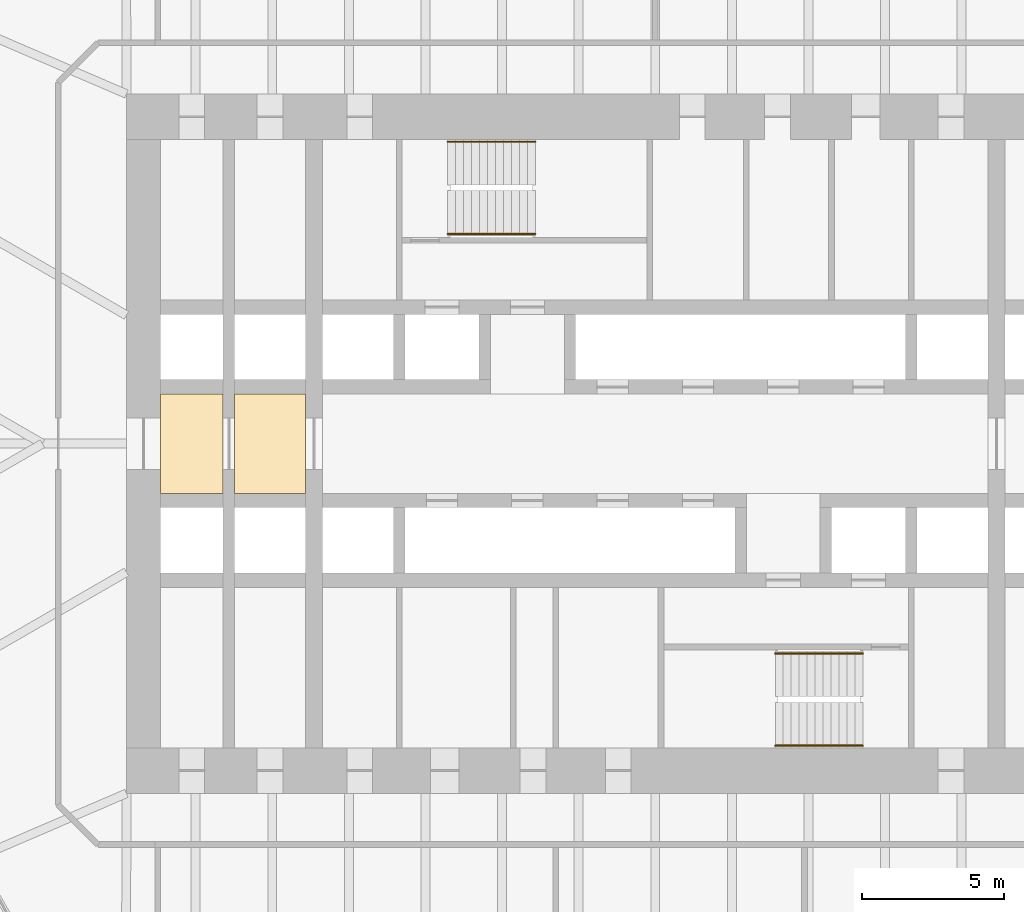
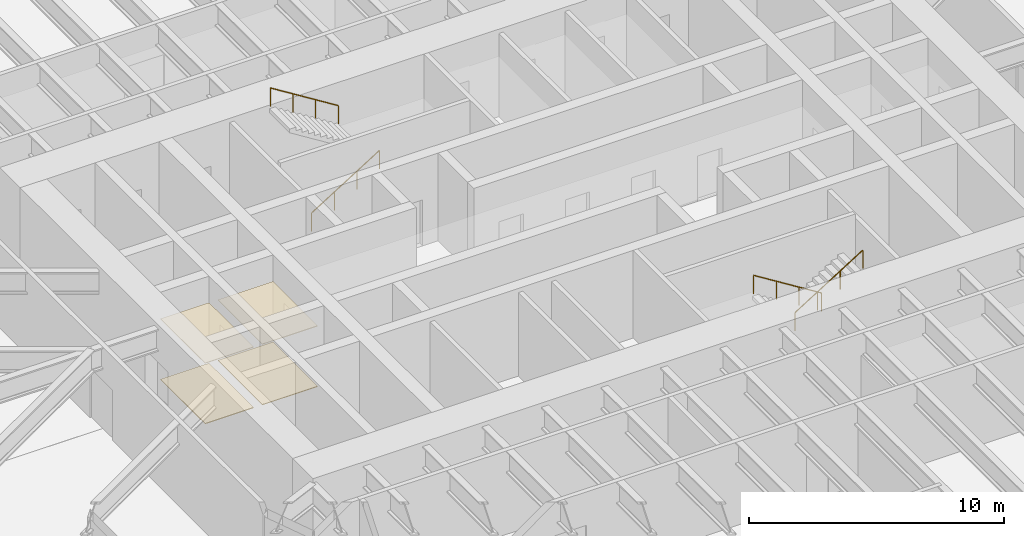
# One storey, part 21 of 23: 4 coverings, 4 railings.
"""IFC4 building model written with IfcOpenShell, lengths in metres."""

from ifc_helpers import new_model, si_unit, direction, frame, origin, origin_2d, place, context, subcontext, project, spatial, polyline, circle, outline, extrude, material, layer, layer_set, type_object, element, save


model = new_model("IFC4")

# Units and contexts
model_context = context("Model", 3, precision=1e-05, world=origin(), true_north=direction((0.0, 1.0)))
body_context = subcontext(model_context, "Body", "Model", "MODEL_VIEW")
ifc_project = project(units=[si_unit("LENGTHUNIT", "METRE"), si_unit("AREAUNIT", "SQUARE_METRE"), si_unit("VOLUMEUNIT", "CUBIC_METRE"), si_unit("PLANEANGLEUNIT", "RADIAN"), si_unit("MASSUNIT", "GRAM", prefix="KILO")], contexts=[model_context])

# Site, building, storey
site_placement = place(None, origin())
site = spatial("IfcSite", under=ifc_project, at=site_placement, CompositionType="ELEMENT")
building_placement = place(site_placement, origin())
building = spatial("IfcBuilding", under=site, at=building_placement, Name="Tarfa Lantern Tower", CompositionType="ELEMENT")
storey_placement = place(building_placement, frame((0.0, 0.0, 36.10009765625)))
storey = spatial("IfcBuildingStorey", under=building, at=storey_placement, Name="L07", CompositionType="ELEMENT", Elevation=36.10009765625)

# Coverings
ifc_material_1 = material(Name="Powder-coated aluminium panel", Category="aluminium")
ifc_layer_1 = layer(ifc_material_1, 0.030029296875)
ifc_layer_set_1 = layer_set([ifc_layer_1], Name="CL3 METAL PANEL CEILING 30")
covering_type_1 = type_object("IfcCoveringType", Name="CL3 METAL PANEL CEILING 30", PredefinedType="CEILING", material=ifc_layer_set_1)
covering_1_placement = place(storey_placement, frame((0.0, 0.0, 2.89990234375)))
element("IfcCovering", 1, at=covering_1_placement, inside=storey, type_object=covering_type_1, Name="Ceiling L07-01", PredefinedType="CEILING", context=body_context, shape_type="SweptSolid", body=[
    extrude(outline(polyline([(-17.39990234375, -1.75), (-15.199951171875, -1.75), (-15.199951171875, 1.75), (-17.39990234375, 1.75), (-17.39990234375, -1.75)])), origin(), (0.0, 0.0, 1.0), 0.030029296875),
])
covering_2_placement = place(storey_placement, frame((0.0, 0.0, 2.89990234375)))
element("IfcCovering", 2, at=covering_2_placement, inside=storey, type_object=covering_type_1, Name="Ceiling L07-02", PredefinedType="CEILING", context=body_context, shape_type="SweptSolid", body=[
    extrude(outline(polyline([(-14.800048828125, -1.75), (-12.300048828125, -1.75), (-12.300048828125, 1.75), (-14.800048828125, 1.75), (-14.800048828125, -1.75)])), origin(), (0.0, 0.0, 1.0), 0.030029296875),
])
ifc_material_2 = material(Name="Honed limestone flooring", Category="masonry")
ifc_layer_2 = layer(ifc_material_2, 0.030029296875)
ifc_layer_set_2 = layer_set([ifc_layer_2], Name="FL2 STONE FLOORING 30")
covering_type_2 = type_object("IfcCoveringType", Name="FL2 STONE FLOORING 30", PredefinedType="FLOORING", material=ifc_layer_set_2)
covering_3_placement = place(storey_placement, origin())
element("IfcCovering", 3, at=covering_3_placement, inside=storey, type_object=covering_type_2, Name="Floor finish L07-01", PredefinedType="FLOORING", context=body_context, shape_type="SweptSolid", body=[
    extrude(outline(polyline([(-17.39990234375, -1.75), (-15.199951171875, -1.75), (-15.199951171875, 1.75), (-17.39990234375, 1.75), (-17.39990234375, -1.75)])), origin(), (0.0, 0.0, 1.0), 0.02978515625),
])
covering_4_placement = place(storey_placement, origin())
element("IfcCovering", 4, at=covering_4_placement, inside=storey, type_object=covering_type_2, Name="Floor finish L07-02", PredefinedType="FLOORING", context=body_context, shape_type="SweptSolid", body=[
    extrude(outline(polyline([(-14.800048828125, -1.75), (-12.300048828125, -1.75), (-12.300048828125, 1.75), (-14.800048828125, 1.75), (-14.800048828125, -1.75)])), origin(), (0.0, 0.0, 1.0), 0.02978515625),
])

# Railings
ifc_material_3 = material(Name="Stainless steel", Category="steel")
railing_type = type_object("IfcRailingType", Name="HR1 HANDRAIL 900", PredefinedType="HANDRAIL", material=ifc_material_3)
railing_1_placement = place(storey_placement, frame((-7.300048828125, 7.3798828125, 0.1748046875)))
element("IfcRailing", 5, at=railing_1_placement, inside=storey, type_object=railing_type, Name="Handrail 1", PredefinedType="HANDRAIL", context=body_context, shape_type="SweptSolid", body=[
    extrude(circle(Radius=0.02392578125, at=origin_2d()), frame((0.0, 0.0, 0.8759765625), z_axis=(0.847998304005, 0.0, 0.529998940003), x_axis=(0.0, 1.0, 0.0)), (0.0, 0.0, 1.0), 3.632080078125),
    extrude(circle(Radius=0.02099609375, at=origin_2d()), frame((0.0, 0.0, 0.0), z_axis=(0.0, 0.0, 1.0), x_axis=(0.0, 1.0, 0.0)), (0.0, 0.0, 1.0), 0.851806640625),
    extrude(circle(Radius=0.02099609375, at=origin_2d()), frame((1.026611328125, 0.0, 0.6416015625), z_axis=(0.0, 0.0, 1.0), x_axis=(0.0, 1.0, 0.0)), (0.0, 0.0, 1.0), 0.851806640625),
    extrude(circle(Radius=0.02099609375, at=origin_2d()), frame((2.053466796875, 0.0, 1.283447265625), z_axis=(0.0, 0.0, 1.0), x_axis=(0.0, 1.0, 0.0)), (0.0, 0.0, 1.0), 0.851806640625),
    extrude(circle(Radius=0.02099609375, at=origin_2d()), frame((3.080078125, 0.0, 1.925048828125), z_axis=(0.0, 0.0, 1.0), x_axis=(0.0, 1.0, 0.0)), (0.0, 0.0, 1.0), 0.851806640625),
])
for number, where, name in (
    (6, (-4.219970703125, 10.6201171875, 2.27490234375), "Handrail 2"),
    (7, (7.300048828125, -7.3798828125, 0.1748046875), "Handrail 1"),
):
    element("IfcRailing", number, at=place(storey_placement, frame(where)), inside=storey, type_object=railing_type, Name=name, PredefinedType="HANDRAIL", context=body_context, shape_type="SweptSolid", body=[
        extrude(circle(Radius=0.02392578125, at=origin_2d()), frame((0.0, 0.0, 0.8759765625), z_axis=(-0.847998304005, 0.0, 0.529998940003), x_axis=(0.0, -1.0, 0.0)), (0.0, 0.0, 1.0), 3.632080078125),
        extrude(circle(Radius=0.02099609375, at=origin_2d()), frame((0.0, 0.0, 0.0), z_axis=(0.0, 0.0, 1.0), x_axis=(0.0, -1.0, 0.0)), (0.0, 0.0, 1.0), 0.851806640625),
        extrude(circle(Radius=0.02099609375, at=origin_2d()), frame((-1.026611328125, 0.0, 0.6416015625), z_axis=(0.0, 0.0, 1.0), x_axis=(0.0, -1.0, 0.0)), (0.0, 0.0, 1.0), 0.851806640625),
        extrude(circle(Radius=0.02099609375, at=origin_2d()), frame((-2.053466796875, 0.0, 1.283447265625), z_axis=(0.0, 0.0, 1.0), x_axis=(0.0, -1.0, 0.0)), (0.0, 0.0, 1.0), 0.851806640625),
        extrude(circle(Radius=0.02099609375, at=origin_2d()), frame((-3.080078125, 0.0, 1.925048828125), z_axis=(0.0, 0.0, 1.0), x_axis=(0.0, -1.0, 0.0)), (0.0, 0.0, 1.0), 0.851806640625),
    ])
railing_2_placement = place(storey_placement, frame((4.219970703125, -10.6201171875, 2.27490234375)))
element("IfcRailing", 8, at=railing_2_placement, inside=storey, type_object=railing_type, Name="Handrail 2", PredefinedType="HANDRAIL", context=body_context, shape_type="SweptSolid", body=[
    extrude(circle(Radius=0.02392578125, at=origin_2d()), frame((0.0, 0.0, 0.8759765625), z_axis=(0.847998304005, 0.0, 0.529998940003), x_axis=(0.0, 1.0, 0.0)), (0.0, 0.0, 1.0), 3.632080078125),
    extrude(circle(Radius=0.02099609375, at=origin_2d()), frame((0.0, 0.0, 0.0), z_axis=(0.0, 0.0, 1.0), x_axis=(0.0, 1.0, 0.0)), (0.0, 0.0, 1.0), 0.851806640625),
    extrude(circle(Radius=0.02099609375, at=origin_2d()), frame((1.026611328125, 0.0, 0.6416015625), z_axis=(0.0, 0.0, 1.0), x_axis=(0.0, 1.0, 0.0)), (0.0, 0.0, 1.0), 0.851806640625),
    extrude(circle(Radius=0.02099609375, at=origin_2d()), frame((2.053466796875, 0.0, 1.283447265625), z_axis=(0.0, 0.0, 1.0), x_axis=(0.0, 1.0, 0.0)), (0.0, 0.0, 1.0), 0.851806640625),
    extrude(circle(Radius=0.02099609375, at=origin_2d()), frame((3.080078125, 0.0, 1.925048828125), z_axis=(0.0, 0.0, 1.0), x_axis=(0.0, 1.0, 0.0)), (0.0, 0.0, 1.0), 0.851806640625),
])

save(model, "model.ifc")
